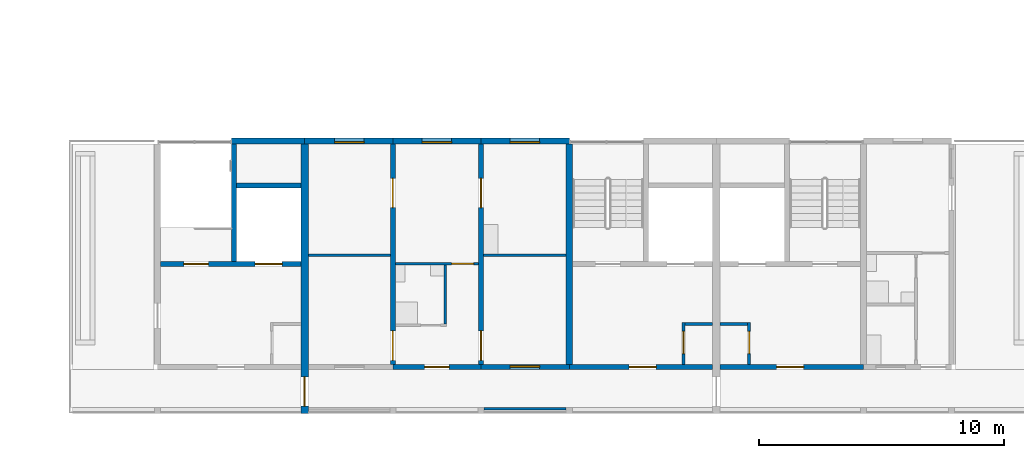
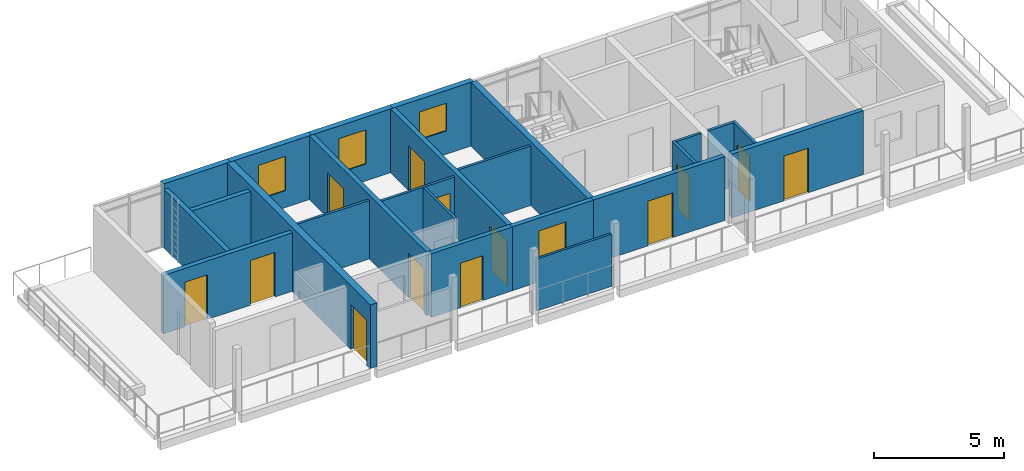
# One storey, part 29 of 55: 24 walls, 13 doors, 4 windows, 17 openings.
"""IFC4 building model written with IfcOpenShell, lengths in metres."""

from ifc_helpers import new_model, si_unit, direction, frame, frame_2d, origin, place, context, subcontext, project, spatial, rectangle, extrude, material, layer, layer_set, type_object, element, fill, save


model = new_model("IFC4")

# Units and contexts
model_context = context("Model", 3, precision=1e-05, world=origin(), true_north=direction((0.0, 1.0)))
body_context = subcontext(model_context, "Body", "Model", "MODEL_VIEW")
ifc_project = project(units=[si_unit("LENGTHUNIT", "METRE"), si_unit("AREAUNIT", "SQUARE_METRE"), si_unit("VOLUMEUNIT", "CUBIC_METRE"), si_unit("PLANEANGLEUNIT", "RADIAN"), si_unit("MASSUNIT", "GRAM", prefix="KILO")], contexts=[model_context])

# Site, building, storey
site_placement = place(None, origin())
site = spatial("IfcSite", under=ifc_project, at=site_placement, CompositionType="ELEMENT")
building_placement = place(site_placement, origin())
building = spatial("IfcBuilding", under=site, at=building_placement, Name="Ridgestep Commons", CompositionType="ELEMENT")
storey_placement = place(building_placement, frame((0.0, 0.0, 36.0)))
storey = spatial("IfcBuildingStorey", under=building, at=storey_placement, Name="L12", CompositionType="ELEMENT", Elevation=36.0)

# Wall
ifc_material_1 = material(Name="Concrete C30/37", Category="concrete")
ifc_layer_1 = layer(ifc_material_1, 0.25)
ifc_layer_set_1 = layer_set([ifc_layer_1], Name="Core cross wall 250")
wall_type_1 = type_object("IfcWallType", Name="Core cross wall 250", PredefinedType="SHEAR", material=ifc_layer_set_1)
wall_1_placement = place(storey_placement, frame((90.0, 13.75, 0.0), z_axis=(0.0, 0.0, 1.0), x_axis=(0.0, 1.0, 0.0)))
element("IfcWall", 1, at=wall_1_placement, inside=storey, type_object=wall_type_1, Name="Cross wall A-12-0900", PredefinedType="SHEAR", context=body_context, shape_type="SweptSolid", body=[
    extrude(rectangle(XDim=9.0, YDim=0.25, at=frame_2d((4.5, 0.0))), origin(), (0.0, 0.0, 1.0), 3.0),
])

# Wall, opening, door
ifc_material_2 = material(Name="Concrete C30/37", Category="concrete")
ifc_layer_2 = layer(ifc_material_2, 0.199951171875)
ifc_layer_set_2 = layer_set([ifc_layer_2], Name="Core south wall 200")
wall_type_2 = type_object("IfcWallType", Name="Core south wall 200", PredefinedType="SHEAR", material=ifc_layer_set_2)
wall_2_placement = place(storey_placement, frame((90.0, 13.64990234375, 0.0), z_axis=(0.0, 0.0, 1.0), x_axis=(1.0, 0.0, 0.0)))
wall_2 = element("IfcWall", 2, at=wall_2_placement, inside=storey, type_object=wall_type_2, Name="Core south wall A5C L12", PredefinedType="SHEAR", context=body_context, shape_type="SweptSolid", body=[
    extrude(rectangle(XDim=5.85009765625, YDim=0.199951171875, at=frame_2d((2.925048828125, 0.0))), origin(), (0.0, 0.0, 1.0), 3.0),
])
opening_1_placement = place(wall_2_placement, frame((2.4375, 0.0, 0.0)))
opening_1 = element("IfcOpeningElement", 3, at=opening_1_placement, cuts=wall_2, Name="Opening A5C/12/1", PredefinedType="OPENING", context=body_context, shape_type="SweptSolid", body=[
    extrude(rectangle(XDim=1.10009765625, YDim=2.10009765625, at=frame_2d((0.550048828125, 1.050048828125))), frame((0.0, 0.10986328125, 0.0), z_axis=(0.0, -1.0, 0.0), x_axis=(1.0, 0.0, 0.0)), (0.0, 0.0, 1.0), 0.219970703125),
])
ifc_material_3 = material(Name="Steel fire door", Category="steel")
door_type_1 = type_object("IfcDoorType", Name="Lobby door 1100 x 2100 FD60", OperationType="NOTDEFINED", PredefinedType="DOOR", material=ifc_material_3)
door_1_placement = place(opening_1_placement, origin())
door_1 = element("IfcDoor", 4, at=door_1_placement, inside=storey, type_object=door_type_1, Name="Lobby door A5C/12/1", OperationType="SINGLE_SWING_LEFT", OverallHeight=2.10009765625, OverallWidth=1.10009765625, PredefinedType="DOOR", context=body_context, shape_type="SweptSolid", body=[
    extrude(rectangle(XDim=1.10009765625, YDim=2.10009765625, at=frame_2d((0.550048828125, 1.050048828125))), frame((0.0, 0.02490234375, 0.0), z_axis=(0.0, -1.0, 0.0), x_axis=(1.0, 0.0, 0.0)), (0.0, 0.0, 1.0), 0.050048828125),
])
fill(opening_1, door_1)

wall_3_placement = place(storey_placement, frame((96.14990234375, 13.64990234375, 0.0), z_axis=(0.0, 0.0, 1.0), x_axis=(1.0, 0.0, 0.0)))
wall_3 = element("IfcWall", 5, at=wall_3_placement, inside=storey, type_object=wall_type_2, Name="Core south wall A6C L12", PredefinedType="SHEAR", context=body_context, shape_type="SweptSolid", body=[
    extrude(rectangle(XDim=5.85009765625, YDim=0.199951171875, at=frame_2d((2.925048828125, 0.0))), origin(), (0.0, 0.0, 1.0), 3.0),
])
opening_2_placement = place(wall_3_placement, frame((2.3125, 0.0, 0.0)))
opening_2 = element("IfcOpeningElement", 6, at=opening_2_placement, cuts=wall_3, Name="Opening A6C/12/1", PredefinedType="OPENING", context=body_context, shape_type="SweptSolid", body=[
    extrude(rectangle(XDim=1.10009765625, YDim=2.10009765625, at=frame_2d((0.550048828125, 1.050048828125))), frame((0.0, 0.10986328125, 0.0), z_axis=(0.0, -1.0, 0.0), x_axis=(1.0, 0.0, 0.0)), (0.0, 0.0, 1.0), 0.219970703125),
])
door_2_placement = place(opening_2_placement, origin())
door_2 = element("IfcDoor", 7, at=door_2_placement, inside=storey, type_object=door_type_1, Name="Lobby door A6C/12/1", OperationType="SINGLE_SWING_LEFT", OverallHeight=2.10009765625, OverallWidth=1.10009765625, PredefinedType="DOOR", context=body_context, shape_type="SweptSolid", body=[
    extrude(rectangle(XDim=1.10009765625, YDim=2.10009765625, at=frame_2d((0.550048828125, 1.050048828125))), frame((0.0, 0.02490234375, 0.0), z_axis=(0.0, -1.0, 0.0), x_axis=(1.0, 0.0, 0.0)), (0.0, 0.0, 1.0), 0.050048828125),
])
fill(opening_2, door_2)

ifc_material_4 = material(Name="Concrete C30/37", Category="concrete")
ifc_layer_3 = layer(ifc_material_4, 0.1201171875)
ifc_layer_set_3 = layer_set([ifc_layer_3], Name="Core wall 120")
wall_type_3 = type_object("IfcWallType", Name="Core wall 120", PredefinedType="SHEAR", material=ifc_layer_set_3)
wall_4_placement = place(storey_placement, frame((94.659912109375, 13.75, 0.0), z_axis=(0.0, 0.0, 1.0), x_axis=(0.0, 1.0, 0.0)))
wall_4 = element("IfcWall", 8, at=wall_4_placement, inside=storey, type_object=wall_type_3, Name="Core riser w wall A5C L12", PredefinedType="SHEAR", context=body_context, shape_type="SweptSolid", body=[
    extrude(rectangle(XDim=1.719970703125, YDim=0.1201171875, at=frame_2d((0.85986328125, 0.0))), origin(), (0.0, 0.0, 1.0), 3.0),
])
opening_3_placement = place(wall_4_placement, frame((0.449951171875, 0.0, 0.0)))
opening_3 = element("IfcOpeningElement", 9, at=opening_3_placement, cuts=wall_4, Name="Opening A5C/12/4", PredefinedType="OPENING", context=body_context, shape_type="SweptSolid", body=[
    extrude(rectangle(XDim=0.89990234375, YDim=2.10009765625, at=frame_2d((0.449951171875, 1.050048828125))), frame((0.0, 0.070068359375, 0.0), z_axis=(0.0, -1.0, 0.0), x_axis=(1.0, 0.0, 0.0)), (0.0, 0.0, 1.0), 0.14013671875),
])
ifc_material_5 = material(Name="Steel fire door", Category="steel")
door_type_2 = type_object("IfcDoorType", Name="Riser door 900 x 2100 FD60", OperationType="NOTDEFINED", PredefinedType="DOOR", material=ifc_material_5)
door_3_placement = place(opening_3_placement, origin())
door_3 = element("IfcDoor", 10, at=door_3_placement, inside=storey, type_object=door_type_2, Name="Riser door A5C/12/4", OperationType="SINGLE_SWING_LEFT", OverallHeight=2.10009765625, OverallWidth=0.89990234375, PredefinedType="DOOR", context=body_context, shape_type="SweptSolid", body=[
    extrude(rectangle(XDim=0.89990234375, YDim=2.10009765625, at=frame_2d((0.449951171875, 1.050048828125))), frame((0.0, 0.02490234375, 0.0), z_axis=(0.0, -1.0, 0.0), x_axis=(1.0, 0.0, 0.0)), (0.0, 0.0, 1.0), 0.050048828125),
])
fill(opening_3, door_3)

# Wall
wall_5_placement = place(storey_placement, frame((94.719970703125, 15.409912109375, 0.0), z_axis=(0.0, 0.0, 1.0), x_axis=(1.0, 0.0, 0.0)))
element("IfcWall", 11, at=wall_5_placement, inside=storey, type_object=wall_type_3, Name="Core riser n wall A5C L12", PredefinedType="SHEAR", context=body_context, shape_type="SweptSolid", body=[
    extrude(rectangle(XDim=1.130126953125, YDim=0.1201171875, at=frame_2d((0.56494140625, 0.0))), origin(), (0.0, 0.0, 1.0), 3.0),
])

# Wall, opening, door
wall_6_placement = place(storey_placement, frame((97.340087890625, 13.75, 0.0), z_axis=(0.0, 0.0, 1.0), x_axis=(0.0, 1.0, 0.0)))
wall_6 = element("IfcWall", 12, at=wall_6_placement, inside=storey, type_object=wall_type_3, Name="Core riser w wall A6C L12", PredefinedType="SHEAR", context=body_context, shape_type="SweptSolid", body=[
    extrude(rectangle(XDim=1.719970703125, YDim=0.1201171875, at=frame_2d((0.85986328125, 0.0))), origin(), (0.0, 0.0, 1.0), 3.0),
])
opening_4_placement = place(wall_6_placement, frame((0.449951171875, 0.0, 0.0)))
opening_4 = element("IfcOpeningElement", 13, at=opening_4_placement, cuts=wall_6, Name="Opening A6C/12/4", PredefinedType="OPENING", context=body_context, shape_type="SweptSolid", body=[
    extrude(rectangle(XDim=0.89990234375, YDim=2.10009765625, at=frame_2d((0.449951171875, 1.050048828125))), frame((0.0, 0.070068359375, 0.0), z_axis=(0.0, -1.0, 0.0), x_axis=(1.0, 0.0, 0.0)), (0.0, 0.0, 1.0), 0.14013671875),
])
door_4_placement = place(opening_4_placement, origin())
door_4 = element("IfcDoor", 14, at=door_4_placement, inside=storey, type_object=door_type_2, Name="Riser door A6C/12/4", OperationType="SINGLE_SWING_RIGHT", OverallHeight=2.10009765625, OverallWidth=0.89990234375, PredefinedType="DOOR", context=body_context, shape_type="SweptSolid", body=[
    extrude(rectangle(XDim=0.89990234375, YDim=2.10009765625, at=frame_2d((0.449951171875, 1.050048828125))), frame((0.0, 0.02490234375, 0.0), z_axis=(0.0, -1.0, 0.0), x_axis=(1.0, 0.0, 0.0)), (0.0, 0.0, 1.0), 0.050048828125),
])
fill(opening_4, door_4)

# Wall
wall_7_placement = place(storey_placement, frame((96.14990234375, 15.409912109375, 0.0), z_axis=(0.0, 0.0, 1.0), x_axis=(1.0, 0.0, 0.0)))
element("IfcWall", 15, at=wall_7_placement, inside=storey, type_object=wall_type_3, Name="Core riser n wall A6C L12", PredefinedType="SHEAR", context=body_context, shape_type="SweptSolid", body=[
    extrude(rectangle(XDim=1.130126953125, YDim=0.1201171875, at=frame_2d((0.56494140625, 0.0))), origin(), (0.0, 0.0, 1.0), 3.0),
])

# Wall, openings, doors
ifc_material_6 = material(Name="Concrete C30/37", Category="concrete")
ifc_layer_4 = layer(ifc_material_6, 0.199951171875)
ifc_layer_set_4 = layer_set([ifc_layer_4], Name="Core wall 200")
wall_type_4 = type_object("IfcWallType", Name="Core wall 200", PredefinedType="SHEAR", material=ifc_layer_set_4)
wall_8_placement = place(storey_placement, frame((73.324951171875, 17.85009765625, 0.0), z_axis=(0.0, 0.0, 1.0), x_axis=(1.0, 0.0, 0.0)))
wall_8 = element("IfcWall", 16, at=wall_8_placement, inside=storey, type_object=wall_type_4, Name="Core lobby wall A4C L12", PredefinedType="SHEAR", context=body_context, shape_type="SweptSolid", body=[
    extrude(rectangle(XDim=5.72509765625, YDim=0.199951171875, at=frame_2d((2.862548828125, 0.0))), origin(), (0.0, 0.0, 1.0), 2.75),
])
opening_5_placement = place(wall_8_placement, frame((0.949951171875, 0.0, 0.0)))
opening_5 = element("IfcOpeningElement", 17, at=opening_5_placement, cuts=wall_8, Name="Opening A4C/12/2", PredefinedType="OPENING", context=body_context, shape_type="SweptSolid", body=[
    extrude(rectangle(XDim=1.0, YDim=2.10009765625, at=frame_2d((0.5, 1.050048828125))), frame((0.0, 0.10986328125, 0.0), z_axis=(0.0, -1.0, 0.0), x_axis=(1.0, 0.0, 0.0)), (0.0, 0.0, 1.0), 0.219970703125),
])
opening_6_placement = place(wall_8_placement, frame((3.862548828125, 0.0, 0.0)))
opening_6 = element("IfcOpeningElement", 18, at=opening_6_placement, cuts=wall_8, Name="Opening A4C/12/3", PredefinedType="OPENING", context=body_context, shape_type="SweptSolid", body=[
    extrude(rectangle(XDim=1.10009765625, YDim=2.10009765625, at=frame_2d((0.550048828125, 1.050048828125))), frame((0.0, 0.10986328125, 0.0), z_axis=(0.0, -1.0, 0.0), x_axis=(1.0, 0.0, 0.0)), (0.0, 0.0, 1.0), 0.219970703125),
])
ifc_material_7 = material(Name="Stainless steel", Category="steel")
door_type_3 = type_object("IfcDoorType", Name="Lift landing door 1100 x 2100 FD60", OperationType="DOUBLE_DOOR_SLIDING", PredefinedType="DOOR", material=ifc_material_7)
door_5_placement = place(opening_6_placement, origin())
door_5 = element("IfcDoor", 19, at=door_5_placement, inside=storey, type_object=door_type_3, Name="Landing door LD A4C L12", OperationType="DOUBLE_DOOR_SLIDING", OverallHeight=2.10009765625, OverallWidth=1.10009765625, PredefinedType="DOOR", context=body_context, shape_type="SweptSolid", body=[
    extrude(rectangle(XDim=1.10009765625, YDim=2.10009765625, at=frame_2d((0.550048828125, 1.050048828125))), frame((0.0, 0.02490234375, 0.0), z_axis=(0.0, -1.0, 0.0), x_axis=(1.0, 0.0, 0.0)), (0.0, 0.0, 1.0), 0.050048828125),
])
fill(opening_6, door_5)
ifc_material_8 = material(Name="Steel fire door", Category="steel")
door_type_4 = type_object("IfcDoorType", Name="Stair door 1000 x 2100 FD60", OperationType="NOTDEFINED", PredefinedType="DOOR", material=ifc_material_8)
door_6_placement = place(opening_5_placement, origin())
door_6 = element("IfcDoor", 20, at=door_6_placement, inside=storey, type_object=door_type_4, Name="Stair door A4C/12/2", OperationType="SINGLE_SWING_RIGHT", OverallHeight=2.10009765625, OverallWidth=1.0, PredefinedType="DOOR", context=body_context, shape_type="SweptSolid", body=[
    extrude(rectangle(XDim=1.0, YDim=2.10009765625, at=frame_2d((0.5, 1.050048828125))), frame((0.0, 0.02490234375, 0.0), z_axis=(0.0, -1.0, 0.0), x_axis=(1.0, 0.0, 0.0)), (0.0, 0.0, 1.0), 0.050048828125),
])
fill(opening_5, door_6)

# Walls
wall_9_placement = place(storey_placement, frame((76.324951171875, 17.949951171875, 0.0), z_axis=(0.0, 0.0, 1.0), x_axis=(0.0, 1.0, 0.0)))
element("IfcWall", 21, at=wall_9_placement, inside=storey, type_object=wall_type_4, Name="Core stair wall A4C L12", PredefinedType="SHEAR", context=body_context, shape_type="SweptSolid", body=[
    extrude(rectangle(XDim=4.800048828125, YDim=0.199951171875, at=frame_2d((2.39990234375, 0.0))), origin(), (0.0, 0.0, 1.0), 2.75),
])
wall_10_placement = place(storey_placement, frame((76.425048828125, 21.050048828125, 0.0), z_axis=(0.0, 0.0, 1.0), x_axis=(1.0, 0.0, 0.0)))
element("IfcWall", 22, at=wall_10_placement, inside=storey, type_object=wall_type_4, Name="Core duct wall A4C L12", PredefinedType="SHEAR", context=body_context, shape_type="SweptSolid", body=[
    extrude(rectangle(XDim=2.625, YDim=0.199951171875, at=frame_2d((1.3125, 0.0))), origin(), (0.0, 0.0, 1.0), 2.75),
])

# Wall, openings, doors
ifc_material_9 = material(Name="Precast concrete C40/50", Category="concrete")
ifc_layer_5 = layer(ifc_material_9, 0.199951171875)
ifc_layer_set_5 = layer_set([ifc_layer_5], Name="Cross wall 200")
wall_type_5 = type_object("IfcWallType", Name="Cross wall 200", PredefinedType="SHEAR", material=ifc_layer_set_5)
wall_11_placement = place(storey_placement, frame((82.800048828125, 13.75, 0.0), z_axis=(0.0, 0.0, 1.0), x_axis=(0.0, 1.0, 0.0)))
wall_11 = element("IfcWall", 23, at=wall_11_placement, inside=storey, type_object=wall_type_5, Name="Cross wall A-12-0828", PredefinedType="SHEAR", context=body_context, shape_type="SweptSolid", body=[
    extrude(rectangle(XDim=9.0, YDim=0.199951171875, at=frame_2d((4.5, 0.0))), origin(), (0.0, 0.0, 1.0), 3.0),
])
opening_7_placement = place(wall_11_placement, frame((0.175048828125, 0.0, 0.0)))
opening_7 = element("IfcOpeningElement", 24, at=opening_7_placement, cuts=wall_11, Name="Opening A5-12a/4", PredefinedType="OPENING", context=body_context, shape_type="SweptSolid", body=[
    extrude(rectangle(XDim=1.199951171875, YDim=2.10009765625, at=frame_2d((0.60009765625, 1.050048828125))), frame((0.0, 0.10986328125, 0.0), z_axis=(0.0, -1.0, 0.0), x_axis=(1.0, 0.0, 0.0)), (0.0, 0.0, 1.0), 0.219970703125),
])
opening_8_placement = place(wall_11_placement, frame((6.39990234375, 0.0, 0.0)))
opening_8 = element("IfcOpeningElement", 25, at=opening_8_placement, cuts=wall_11, Name="Opening A5-12a/5", PredefinedType="OPENING", context=body_context, shape_type="SweptSolid", body=[
    extrude(rectangle(XDim=1.199951171875, YDim=2.10009765625, at=frame_2d((0.60009765625, 1.050048828125))), frame((0.0, 0.10986328125, 0.0), z_axis=(0.0, -1.0, 0.0), x_axis=(1.0, 0.0, 0.0)), (0.0, 0.0, 1.0), 0.219970703125),
])
ifc_material_10 = material(Name="Timber door leaf", Category="wood")
door_type_5 = type_object("IfcDoorType", Name="Double door 1200 x 2100", OperationType="DOUBLE_DOOR_SINGLE_SWING", PredefinedType="DOOR", material=ifc_material_10)
door_7_placement = place(opening_7_placement, origin())
door_7 = element("IfcDoor", 26, at=door_7_placement, inside=storey, type_object=door_type_5, Name="Double door A5-12a/4", OperationType="DOUBLE_DOOR_SINGLE_SWING", OverallHeight=2.10009765625, OverallWidth=1.199951171875, PredefinedType="DOOR", context=body_context, shape_type="SweptSolid", body=[
    extrude(rectangle(XDim=1.199951171875, YDim=2.10009765625, at=frame_2d((0.60009765625, 1.050048828125))), frame((0.0, 0.02490234375, 0.0), z_axis=(0.0, -1.0, 0.0), x_axis=(1.0, 0.0, 0.0)), (0.0, 0.0, 1.0), 0.050048828125),
])
fill(opening_7, door_7)
door_8_placement = place(opening_8_placement, origin())
door_8 = element("IfcDoor", 27, at=door_8_placement, inside=storey, type_object=door_type_5, Name="Double door A5-12a/5", OperationType="DOUBLE_DOOR_SINGLE_SWING", OverallHeight=2.10009765625, OverallWidth=1.199951171875, PredefinedType="DOOR", context=body_context, shape_type="SweptSolid", body=[
    extrude(rectangle(XDim=1.199951171875, YDim=2.10009765625, at=frame_2d((0.60009765625, 1.050048828125))), frame((0.0, 0.02490234375, 0.0), z_axis=(0.0, -1.0, 0.0), x_axis=(1.0, 0.0, 0.0)), (0.0, 0.0, 1.0), 0.050048828125),
])
fill(opening_8, door_8)

wall_12_placement = place(storey_placement, frame((86.39990234375, 13.75, 0.0), z_axis=(0.0, 0.0, 1.0), x_axis=(0.0, 1.0, 0.0)))
wall_12 = element("IfcWall", 28, at=wall_12_placement, inside=storey, type_object=wall_type_5, Name="Cross wall A-12-0864", PredefinedType="SHEAR", context=body_context, shape_type="SweptSolid", body=[
    extrude(rectangle(XDim=9.0, YDim=0.199951171875, at=frame_2d((4.5, 0.0))), origin(), (0.0, 0.0, 1.0), 3.0),
])
opening_9_placement = place(wall_12_placement, frame((0.175048828125, 0.0, 0.0)))
opening_9 = element("IfcOpeningElement", 29, at=opening_9_placement, cuts=wall_12, Name="Opening A5-12a/6", PredefinedType="OPENING", context=body_context, shape_type="SweptSolid", body=[
    extrude(rectangle(XDim=1.199951171875, YDim=2.10009765625, at=frame_2d((0.60009765625, 1.050048828125))), frame((0.0, 0.10986328125, 0.0), z_axis=(0.0, -1.0, 0.0), x_axis=(1.0, 0.0, 0.0)), (0.0, 0.0, 1.0), 0.219970703125),
])
opening_10_placement = place(wall_12_placement, frame((6.39990234375, 0.0, 0.0)))
opening_10 = element("IfcOpeningElement", 30, at=opening_10_placement, cuts=wall_12, Name="Opening A5-12a/7", PredefinedType="OPENING", context=body_context, shape_type="SweptSolid", body=[
    extrude(rectangle(XDim=1.199951171875, YDim=2.10009765625, at=frame_2d((0.60009765625, 1.050048828125))), frame((0.0, 0.10986328125, 0.0), z_axis=(0.0, -1.0, 0.0), x_axis=(1.0, 0.0, 0.0)), (0.0, 0.0, 1.0), 0.219970703125),
])
door_9_placement = place(opening_9_placement, origin())
door_9 = element("IfcDoor", 31, at=door_9_placement, inside=storey, type_object=door_type_5, Name="Double door A5-12a/6", OperationType="DOUBLE_DOOR_SINGLE_SWING", OverallHeight=2.10009765625, OverallWidth=1.199951171875, PredefinedType="DOOR", context=body_context, shape_type="SweptSolid", body=[
    extrude(rectangle(XDim=1.199951171875, YDim=2.10009765625, at=frame_2d((0.60009765625, 1.050048828125))), frame((0.0, 0.02490234375, 0.0), z_axis=(0.0, -1.0, 0.0), x_axis=(1.0, 0.0, 0.0)), (0.0, 0.0, 1.0), 0.050048828125),
])
fill(opening_9, door_9)
door_10_placement = place(opening_10_placement, origin())
door_10 = element("IfcDoor", 32, at=door_10_placement, inside=storey, type_object=door_type_5, Name="Double door A5-12a/7", OperationType="DOUBLE_DOOR_SINGLE_SWING", OverallHeight=2.10009765625, OverallWidth=1.199951171875, PredefinedType="DOOR", context=body_context, shape_type="SweptSolid", body=[
    extrude(rectangle(XDim=1.199951171875, YDim=2.10009765625, at=frame_2d((0.60009765625, 1.050048828125))), frame((0.0, 0.02490234375, 0.0), z_axis=(0.0, -1.0, 0.0), x_axis=(1.0, 0.0, 0.0)), (0.0, 0.0, 1.0), 0.050048828125),
])
fill(opening_10, door_10)

# Wall, opening, door
ifc_material_11 = material(Name="Precast concrete C40/50", Category="concrete")
ifc_layer_6 = layer(ifc_material_11, 0.300048828125)
ifc_layer_set_6 = layer_set([ifc_layer_6], Name="Division wall 300")
wall_type_6 = type_object("IfcWallType", Name="Division wall 300", PredefinedType="SHEAR", material=ifc_layer_set_6)
wall_13_placement = place(storey_placement, frame((79.199951171875, 11.75, 0.0), z_axis=(0.0, 0.0, 1.0), x_axis=(0.0, 1.0, 0.0)))
wall_13 = element("IfcWall", 33, at=wall_13_placement, inside=storey, type_object=wall_type_6, Name="Cross wall A-12-0792", PredefinedType="SHEAR", context=body_context, shape_type="SweptSolid", body=[
    extrude(rectangle(XDim=11.0, YDim=0.300048828125, at=frame_2d((5.5, 0.0))), origin(), (0.0, 0.0, 1.0), 3.0),
])
opening_11_placement = place(wall_13_placement, frame((0.300048828125, 0.0, 0.0)))
opening_11 = element("IfcOpeningElement", 34, at=opening_11_placement, cuts=wall_13, Name="Opening A/12/G0792", PredefinedType="OPENING", context=body_context, shape_type="SweptSolid", body=[
    extrude(rectangle(XDim=1.199951171875, YDim=2.10009765625, at=frame_2d((0.60009765625, 1.050048828125))), frame((0.0, 0.159912109375, 0.0), z_axis=(0.0, -1.0, 0.0), x_axis=(1.0, 0.0, 0.0)), (0.0, 0.0, 1.0), 0.320068359375),
])
ifc_material_12 = material(Name="Steel fire door", Category="steel")
door_type_6 = type_object("IfcDoorType", Name="Division fire door 1200 x 2100 EI 240", OperationType="DOUBLE_DOOR_SINGLE_SWING", PredefinedType="DOOR", material=ifc_material_12)
door_11_placement = place(opening_11_placement, origin())
door_11 = element("IfcDoor", 35, at=door_11_placement, inside=storey, type_object=door_type_6, Name="Division fire door A/12/G0792", OperationType="DOUBLE_DOOR_SINGLE_SWING", OverallHeight=2.10009765625, OverallWidth=1.199951171875, PredefinedType="DOOR", context=body_context, shape_type="SweptSolid", body=[
    extrude(rectangle(XDim=1.199951171875, YDim=2.10009765625, at=frame_2d((0.60009765625, 1.050048828125))), frame((0.0, 0.02490234375, 0.0), z_axis=(0.0, -1.0, 0.0), x_axis=(1.0, 0.0, 0.0)), (0.0, 0.0, 1.0), 0.050048828125),
])
fill(opening_11, door_11)

# Wall
ifc_material_13 = material(Name="Precast concrete C40/50", Category="concrete")
ifc_layer_7 = layer(ifc_material_13, 0.25)
ifc_layer_set_7 = layer_set([ifc_layer_7], Name="North facade panel 250")
wall_type_7 = type_object("IfcWallType", Name="North facade panel 250", PredefinedType="SOLIDWALL", material=ifc_layer_set_7)
wall_14_placement = place(storey_placement, frame((76.22509765625, 22.875, 0.0), z_axis=(0.0, 0.0, 1.0), x_axis=(1.0, 0.0, 0.0)))
element("IfcWall", 36, at=wall_14_placement, inside=storey, type_object=wall_type_7, Name="North panel A4C L12", PredefinedType="SOLIDWALL", context=body_context, shape_type="SweptSolid", body=[
    extrude(rectangle(XDim=2.974853515625, YDim=0.25, at=frame_2d((1.4873046875, 0.0))), origin(), (0.0, 0.0, 1.0), 3.0),
])

# Wall, opening, window
wall_15_placement = place(storey_placement, frame((79.199951171875, 22.875, 0.0), z_axis=(0.0, 0.0, 1.0), x_axis=(1.0, 0.0, 0.0)))
wall_15 = element("IfcWall", 37, at=wall_15_placement, inside=storey, type_object=wall_type_7, Name="North panel A5T1 L12", PredefinedType="SOLIDWALL", context=body_context, shape_type="SweptSolid", body=[
    extrude(rectangle(XDim=3.60009765625, YDim=0.25, at=frame_2d((1.800048828125, 0.0))), origin(), (0.0, 0.0, 1.0), 3.0),
])
opening_12_placement = place(wall_15_placement, frame((1.22509765625, 0.0, 0.800048828125)))
opening_12 = element("IfcOpeningElement", 38, at=opening_12_placement, cuts=wall_15, Name="Opening W11", PredefinedType="OPENING", context=body_context, shape_type="SweptSolid", body=[
    extrude(rectangle(XDim=1.199951171875, YDim=1.60009765625, at=frame_2d((0.60009765625, 0.800048828125))), frame((0.0, 0.135009765625, 0.0), z_axis=(0.0, -1.0, 0.0), x_axis=(1.0, 0.0, 0.0)), (0.0, 0.0, 1.0), 0.27001953125),
])
ifc_material_14 = material(Name="Aluminium 6063-T6 and glass", Category="aluminium")
window_type_1 = type_object("IfcWindowType", Name="Flat window 1200 x 1600", PartitioningType="SINGLE_PANEL", PredefinedType="WINDOW", material=ifc_material_14)
window_1_placement = place(opening_12_placement, origin())
window_1 = element("IfcWindow", 39, at=window_1_placement, inside=storey, type_object=window_type_1, Name="Window A5-12a 2", OverallHeight=1.60009765625, OverallWidth=1.199951171875, PartitioningType="SINGLE_PANEL", PredefinedType="WINDOW", context=body_context, shape_type="SweptSolid", body=[
    extrude(rectangle(XDim=1.199951171875, YDim=1.60009765625, at=frame_2d((0.60009765625, 0.800048828125))), frame((0.0, -0.02490234375, 0.0), z_axis=(0.0, -1.0, 0.0), x_axis=(1.0, 0.0, 0.0)), (0.0, 0.0, 1.0), 0.06005859375),
])
fill(opening_12, window_1)

wall_16_placement = place(storey_placement, frame((82.800048828125, 22.875, 0.0), z_axis=(0.0, 0.0, 1.0), x_axis=(1.0, 0.0, 0.0)))
wall_16 = element("IfcWall", 40, at=wall_16_placement, inside=storey, type_object=wall_type_7, Name="North panel A5T2 L12", PredefinedType="SOLIDWALL", context=body_context, shape_type="SweptSolid", body=[
    extrude(rectangle(XDim=3.599853515625, YDim=0.25, at=frame_2d((1.7998046875, 0.0))), origin(), (0.0, 0.0, 1.0), 3.0),
])
opening_13_placement = place(wall_16_placement, frame((1.199951171875, 0.0, 0.800048828125)))
opening_13 = element("IfcOpeningElement", 41, at=opening_13_placement, cuts=wall_16, Name="Opening W11", PredefinedType="OPENING", context=body_context, shape_type="SweptSolid", body=[
    extrude(rectangle(XDim=1.199951171875, YDim=1.60009765625, at=frame_2d((0.60009765625, 0.800048828125))), frame((0.0, 0.135009765625, 0.0), z_axis=(0.0, -1.0, 0.0), x_axis=(1.0, 0.0, 0.0)), (0.0, 0.0, 1.0), 0.27001953125),
])
window_2_placement = place(opening_13_placement, origin())
window_2 = element("IfcWindow", 42, at=window_2_placement, inside=storey, type_object=window_type_1, Name="Window A5-12a 5", OverallHeight=1.60009765625, OverallWidth=1.199951171875, PartitioningType="SINGLE_PANEL", PredefinedType="WINDOW", context=body_context, shape_type="SweptSolid", body=[
    extrude(rectangle(XDim=1.199951171875, YDim=1.60009765625, at=frame_2d((0.60009765625, 0.800048828125))), frame((0.0, -0.02490234375, 0.0), z_axis=(0.0, -1.0, 0.0), x_axis=(1.0, 0.0, 0.0)), (0.0, 0.0, 1.0), 0.06005859375),
])
fill(opening_13, window_2)

wall_17_placement = place(storey_placement, frame((86.39990234375, 22.875, 0.0), z_axis=(0.0, 0.0, 1.0), x_axis=(1.0, 0.0, 0.0)))
wall_17 = element("IfcWall", 43, at=wall_17_placement, inside=storey, type_object=wall_type_7, Name="North panel A5T3 L12", PredefinedType="SOLIDWALL", context=body_context, shape_type="SweptSolid", body=[
    extrude(rectangle(XDim=3.60009765625, YDim=0.25, at=frame_2d((1.800048828125, 0.0))), origin(), (0.0, 0.0, 1.0), 3.0),
])
opening_14_placement = place(wall_17_placement, frame((1.1875, 0.0, 1.10009765625)))
opening_14 = element("IfcOpeningElement", 44, at=opening_14_placement, cuts=wall_17, Name="Opening W08", PredefinedType="OPENING", context=body_context, shape_type="SweptSolid", body=[
    extrude(rectangle(XDim=1.199951171875, YDim=1.300048828125, at=frame_2d((0.60009765625, 0.64990234375))), frame((0.0, 0.135009765625, 0.0), z_axis=(0.0, -1.0, 0.0), x_axis=(1.0, 0.0, 0.0)), (0.0, 0.0, 1.0), 0.27001953125),
])
ifc_material_15 = material(Name="Aluminium 6063-T6 and glass", Category="aluminium")
window_type_2 = type_object("IfcWindowType", Name="Flat window 1200 x 1300", PartitioningType="SINGLE_PANEL", PredefinedType="WINDOW", material=ifc_material_15)
window_3_placement = place(opening_14_placement, origin())
window_3 = element("IfcWindow", 45, at=window_3_placement, inside=storey, type_object=window_type_2, Name="Window A5-12a 4", OverallHeight=1.300048828125, OverallWidth=1.199951171875, PartitioningType="SINGLE_PANEL", PredefinedType="WINDOW", context=body_context, shape_type="SweptSolid", body=[
    extrude(rectangle(XDim=1.199951171875, YDim=1.300048828125, at=frame_2d((0.60009765625, 0.64990234375))), frame((0.0, -0.02490234375, 0.0), z_axis=(0.0, -1.0, 0.0), x_axis=(1.0, 0.0, 0.0)), (0.0, 0.0, 1.0), 0.06005859375),
])
fill(opening_14, window_3)

# Wall
ifc_material_16 = material(Name="Common brick 110 mm", Category="masonry")
ifc_layer_8 = layer(ifc_material_16, 0.110107421875)
ifc_layer_set_8 = layer_set([ifc_layer_8], Name="Partition 110")
wall_type_8 = type_object("IfcWallType", Name="Partition 110", PredefinedType="PARTITIONING", material=ifc_layer_set_8)
wall_18_placement = place(storey_placement, frame((84.945068359375, 15.409912109375, 0.0), z_axis=(0.0, 0.0, 1.0), x_axis=(0.0, 1.0, 0.0)))
element("IfcWall", 46, at=wall_18_placement, inside=storey, type_object=wall_type_8, Name="Partition A5-12a", PredefinedType="PARTITIONING", context=body_context, shape_type="SweptSolid", body=[
    extrude(rectangle(XDim=2.400146484375, YDim=0.110107421875, at=frame_2d((1.2001953125, 0.0))), origin(), (0.0, 0.0, 1.0), 2.800048828125),
])

# Wall, opening, door
wall_19_placement = place(storey_placement, frame((82.89990234375, 17.864990234375, 0.0), z_axis=(0.0, 0.0, 1.0), x_axis=(1.0, 0.0, 0.0)))
wall_19 = element("IfcWall", 47, at=wall_19_placement, inside=storey, type_object=wall_type_8, Name="Partition A5-12a", PredefinedType="PARTITIONING", context=body_context, shape_type="SweptSolid", body=[
    extrude(rectangle(XDim=3.400146484375, YDim=0.110107421875, at=frame_2d((1.7001953125, 0.0))), origin(), (0.0, 0.0, 1.0), 2.800048828125),
])
opening_15_placement = place(wall_19_placement, frame((2.300048828125, 0.0, 0.0)))
opening_15 = element("IfcOpeningElement", 48, at=opening_15_placement, cuts=wall_19, Name="Opening A5-12a/3", PredefinedType="OPENING", context=body_context, shape_type="SweptSolid", body=[
    extrude(rectangle(XDim=0.89990234375, YDim=2.10009765625, at=frame_2d((0.449951171875, 1.050048828125))), frame((0.0, 0.06494140625, 0.0), z_axis=(0.0, -1.0, 0.0), x_axis=(1.0, 0.0, 0.0)), (0.0, 0.0, 1.0), 0.130126953125),
])
ifc_material_17 = material(Name="Timber door leaf", Category="wood")
door_type_7 = type_object("IfcDoorType", Name="Internal door 900 x 2100", OperationType="NOTDEFINED", PredefinedType="DOOR", material=ifc_material_17)
door_12_placement = place(opening_15_placement, origin())
door_12 = element("IfcDoor", 49, at=door_12_placement, inside=storey, type_object=door_type_7, Name="Internal door A5-12a/3", OperationType="SINGLE_SWING_LEFT", OverallHeight=2.10009765625, OverallWidth=0.89990234375, PredefinedType="DOOR", context=body_context, shape_type="SweptSolid", body=[
    extrude(rectangle(XDim=0.89990234375, YDim=2.10009765625, at=frame_2d((0.449951171875, 1.050048828125))), frame((0.0, 0.02490234375, 0.0), z_axis=(0.0, -1.0, 0.0), x_axis=(1.0, 0.0, 0.0)), (0.0, 0.0, 1.0), 0.050048828125),
])
fill(opening_15, door_12)

# Walls
wall_20_placement = place(storey_placement, frame((79.35009765625, 18.205078125, 0.0), z_axis=(0.0, 0.0, 1.0), x_axis=(1.0, 0.0, 0.0)))
element("IfcWall", 50, at=wall_20_placement, inside=storey, type_object=wall_type_8, Name="Partition A5-12a", PredefinedType="PARTITIONING", context=body_context, shape_type="SweptSolid", body=[
    extrude(rectangle(XDim=3.349853515625, YDim=0.110107421875, at=frame_2d((1.6748046875, 0.0))), origin(), (0.0, 0.0, 1.0), 2.75),
])
wall_21_placement = place(storey_placement, frame((86.5, 18.205078125, 0.0), z_axis=(0.0, 0.0, 1.0), x_axis=(1.0, 0.0, 0.0)))
element("IfcWall", 51, at=wall_21_placement, inside=storey, type_object=wall_type_8, Name="Partition A5-12a", PredefinedType="PARTITIONING", context=body_context, shape_type="SweptSolid", body=[
    extrude(rectangle(XDim=3.375, YDim=0.110107421875, at=frame_2d((1.6875, 0.0))), origin(), (0.0, 0.0, 1.0), 2.800048828125),
])
ifc_material_18 = material(Name="Precast concrete C30/37", Category="concrete")
ifc_layer_9 = layer(ifc_material_18, 0.10009765625)
ifc_layer_set_9 = layer_set([ifc_layer_9], Name="Perforated gallery screen 3350 x 2450 x 100")
wall_type_9 = type_object("IfcWallType", Name="Perforated gallery screen 3350 x 2450 x 100", PredefinedType="SOLIDWALL", material=ifc_layer_set_9)
wall_22_placement = place(storey_placement, frame((86.52490234375, 11.949951171875, 0.0), z_axis=(0.0, 0.0, 1.0), x_axis=(1.0, 0.0, 0.0)))
element("IfcWall", 52, at=wall_22_placement, inside=storey, type_object=wall_type_9, Name="Gallery screen A5T3 12", PredefinedType="SOLIDWALL", context=body_context, shape_type="SweptSolid", body=[
    extrude(rectangle(XDim=3.35009765625, YDim=0.10009765625, at=frame_2d((1.675048828125, 0.0))), origin(), (0.0, 0.0, 1.0), 2.449951171875),
])

# Wall, opening, door
ifc_material_19 = material(Name="Precast concrete C40/50", Category="concrete")
ifc_layer_10 = layer(ifc_material_19, 0.199951171875)
ifc_layer_set_10 = layer_set([ifc_layer_10], Name="South facade panel 200")
wall_type_10 = type_object("IfcWallType", Name="South facade panel 200", PredefinedType="SOLIDWALL", material=ifc_layer_set_10)
wall_23_placement = place(storey_placement, frame((82.800048828125, 13.64990234375, 0.0), z_axis=(0.0, 0.0, 1.0), x_axis=(1.0, 0.0, 0.0)))
wall_23 = element("IfcWall", 53, at=wall_23_placement, inside=storey, type_object=wall_type_10, Name="South panel A5T2 L12", PredefinedType="SOLIDWALL", context=body_context, shape_type="SweptSolid", body=[
    extrude(rectangle(XDim=3.599853515625, YDim=0.199951171875, at=frame_2d((1.7998046875, 0.0))), origin(), (0.0, 0.0, 1.0), 3.0),
])
opening_16_placement = place(wall_23_placement, frame((1.300048828125, 0.0, 0.0)))
opening_16 = element("IfcOpeningElement", 54, at=opening_16_placement, cuts=wall_23, Name="Opening A5-12a/1", PredefinedType="OPENING", context=body_context, shape_type="SweptSolid", body=[
    extrude(rectangle(XDim=1.0, YDim=2.10009765625, at=frame_2d((0.5, 1.050048828125))), frame((0.0, 0.10986328125, 0.0), z_axis=(0.0, -1.0, 0.0), x_axis=(1.0, 0.0, 0.0)), (0.0, 0.0, 1.0), 0.219970703125),
])
ifc_material_20 = material(Name="Timber door leaf", Category="wood")
door_type_8 = type_object("IfcDoorType", Name="Flat entrance door 1000 x 2100 FD30S", OperationType="NOTDEFINED", PredefinedType="DOOR", material=ifc_material_20)
door_13_placement = place(opening_16_placement, origin())
door_13 = element("IfcDoor", 55, at=door_13_placement, inside=storey, type_object=door_type_8, Name="Flat entrance door A5-12a/1", OperationType="SINGLE_SWING_RIGHT", OverallHeight=2.10009765625, OverallWidth=1.0, PredefinedType="DOOR", context=body_context, shape_type="SweptSolid", body=[
    extrude(rectangle(XDim=1.0, YDim=2.10009765625, at=frame_2d((0.5, 1.050048828125))), frame((0.0, 0.02490234375, 0.0), z_axis=(0.0, -1.0, 0.0), x_axis=(1.0, 0.0, 0.0)), (0.0, 0.0, 1.0), 0.050048828125),
])
fill(opening_16, door_13)

# Wall, opening, window
wall_24_placement = place(storey_placement, frame((86.39990234375, 13.64990234375, 0.0), z_axis=(0.0, 0.0, 1.0), x_axis=(1.0, 0.0, 0.0)))
wall_24 = element("IfcWall", 56, at=wall_24_placement, inside=storey, type_object=wall_type_10, Name="South panel A5T3 L12", PredefinedType="SOLIDWALL", context=body_context, shape_type="SweptSolid", body=[
    extrude(rectangle(XDim=3.60009765625, YDim=0.199951171875, at=frame_2d((1.800048828125, 0.0))), origin(), (0.0, 0.0, 1.0), 3.0),
])
opening_17_placement = place(wall_24_placement, frame((1.1875, 0.0, 0.800048828125)))
opening_17 = element("IfcOpeningElement", 57, at=opening_17_placement, cuts=wall_24, Name="Opening W11", PredefinedType="OPENING", context=body_context, shape_type="SweptSolid", body=[
    extrude(rectangle(XDim=1.199951171875, YDim=1.60009765625, at=frame_2d((0.60009765625, 0.800048828125))), frame((0.0, 0.10986328125, 0.0), z_axis=(0.0, -1.0, 0.0), x_axis=(1.0, 0.0, 0.0)), (0.0, 0.0, 1.0), 0.219970703125),
])
window_4_placement = place(opening_17_placement, origin())
window_4 = element("IfcWindow", 58, at=window_4_placement, inside=storey, type_object=window_type_1, Name="Window A5-12a 3", OverallHeight=1.60009765625, OverallWidth=1.199951171875, PartitioningType="SINGLE_PANEL", PredefinedType="WINDOW", context=body_context, shape_type="SweptSolid", body=[
    extrude(rectangle(XDim=1.199951171875, YDim=1.60009765625, at=frame_2d((0.60009765625, 0.800048828125))), frame((0.0, 0.06005859375, 0.0), z_axis=(0.0, -1.0, 0.0), x_axis=(1.0, 0.0, 0.0)), (0.0, 0.0, 1.0), 0.06005859375),
])
fill(opening_17, window_4)

save(model, "model.ifc")
